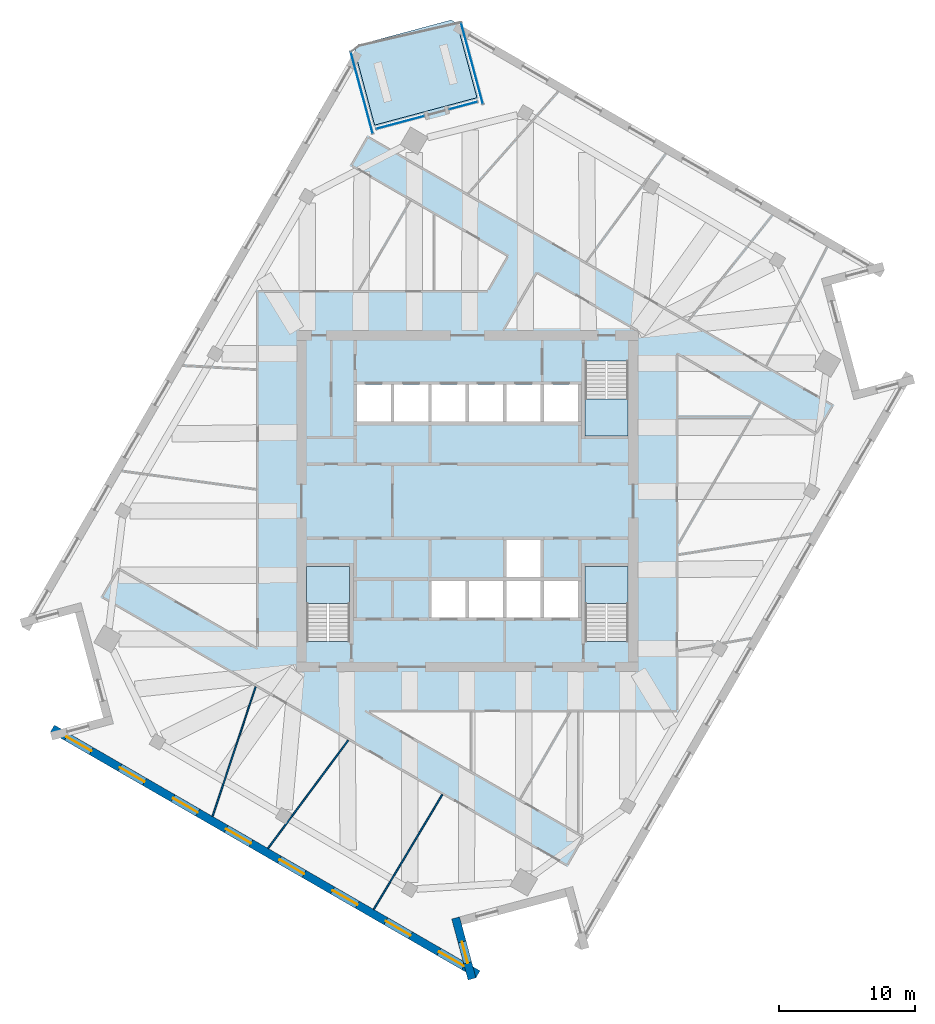
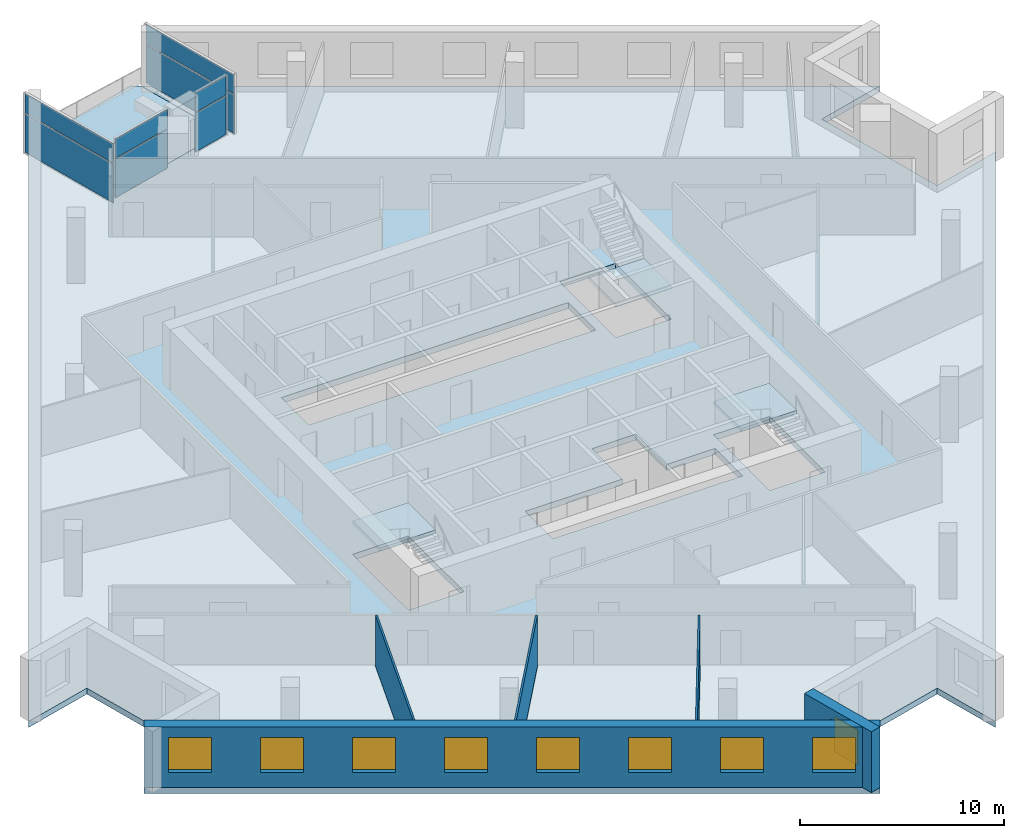
# One storey, part 5 of 13: 9 windows, 8 plates, 5 slabs, 5 walls, 9 openings, 7 elements without a shape of their own.
"""IFC4 building model written with IfcOpenShell, lengths in metres."""

from ifc_helpers import new_model, si_unit, direction, frame, frame_2d, origin, origin_2d, place, context, subcontext, project, spatial, polyline, rectangle, outline, extrude, material, layer, layer_set, type_object, element, fill, aggregate, save


model = new_model("IFC4")

# Units and contexts
model_context = context("Model", 3, precision=1e-05, world=origin(), true_north=direction((0.0, 1.0)))
body_context = subcontext(model_context, "Body", "Model", "MODEL_VIEW")
ifc_project = project(units=[si_unit("LENGTHUNIT", "METRE"), si_unit("AREAUNIT", "SQUARE_METRE"), si_unit("VOLUMEUNIT", "CUBIC_METRE"), si_unit("PLANEANGLEUNIT", "RADIAN"), si_unit("MASSUNIT", "GRAM", prefix="KILO")], contexts=[model_context])

# Site, building, storey
site_placement = place(None, origin())
site = spatial("IfcSite", under=ifc_project, at=site_placement, CompositionType="ELEMENT")
building_placement = place(site_placement, origin())
building = spatial("IfcBuilding", under=site, at=building_placement, Name="Dilmun Exchange Tower", CompositionType="ELEMENT")
storey_placement = place(building_placement, frame((0.0, 0.0, 266.89990234375)))
storey = spatial("IfcBuildingStorey", under=building, at=storey_placement, Name="L63", CompositionType="ELEMENT", Elevation=266.89990234375)

# Stair, slab
ifc_material_1 = material(Name="Concrete C40/50", Category="concrete")
stair_type = type_object("IfcStairType", Name="Exit stair 1500 half-turn", PredefinedType="HALF_TURN_STAIR", material=ifc_material_1)
stair_1_placement = place(storey_placement, origin())
stair_1 = element("IfcStair", 1, at=stair_1_placement, inside=storey, type_object=stair_type, Name="L63 Protected exit stair ST1", PredefinedType="HALF_TURN_STAIR")
ifc_layer_1 = layer(ifc_material_1, 0.199951171875)
ifc_layer_set_1 = layer_set([ifc_layer_1], Name="Concrete C40/50")
slab_type_1 = type_object("IfcSlabType", Name="Exit stair landing 200", PredefinedType="LANDING", material=ifc_layer_set_1)
slab_1_placement = place(storey_placement, frame((0.0, 0.0, 1.800048828125)))
slab_1 = element("IfcSlab", 2, at=slab_1_placement, type_object=slab_type_1, Name="ST1 landing 1", PredefinedType="LANDING", context=body_context, shape_type="SweptSolid", body=[
    extrude(outline(polyline([(8.64990234375, 7.5), (8.64990234375, 4.800048828125), (11.800048828125, 4.800048828125), (11.800048828125, 7.5), (8.64990234375, 7.5)])), origin(), (0.0, 0.0, 1.0), 0.199951171875),
])
aggregate(stair_1, [slab_1])

stair_2_placement = place(storey_placement, origin())
stair_2 = element("IfcStair", 3, at=stair_2_placement, inside=storey, type_object=stair_type, Name="L63 Protected exit stair ST2", PredefinedType="HALF_TURN_STAIR")
slab_2_placement = place(storey_placement, frame((0.0, 0.0, 1.800048828125)))
slab_2 = element("IfcSlab", 4, at=slab_2_placement, type_object=slab_type_1, Name="ST2 landing 1", PredefinedType="LANDING", context=body_context, shape_type="SweptSolid", body=[
    extrude(outline(polyline([(-8.64990234375, -7.5), (-8.64990234375, -4.800048828125), (-11.800048828125, -4.800048828125), (-11.800048828125, -7.5), (-8.64990234375, -7.5)])), origin(), (0.0, 0.0, 1.0), 0.199951171875),
])
aggregate(stair_2, [slab_2])

stair_3_placement = place(storey_placement, origin())
stair_3 = element("IfcStair", 5, at=stair_3_placement, inside=storey, type_object=stair_type, Name="L63 Protected exit stair ST3", PredefinedType="HALF_TURN_STAIR")
slab_3_placement = place(storey_placement, frame((0.0, 0.0, 1.800048828125)))
slab_3 = element("IfcSlab", 6, at=slab_3_placement, type_object=slab_type_1, Name="ST3 landing 1", PredefinedType="LANDING", context=body_context, shape_type="SweptSolid", body=[
    extrude(outline(polyline([(11.800048828125, -7.5), (11.800048828125, -4.800048828125), (8.64990234375, -4.800048828125), (8.64990234375, -7.5), (11.800048828125, -7.5)])), origin(), (0.0, 0.0, 1.0), 0.199951171875),
])
aggregate(stair_3, [slab_3])

# Curtain wall, plates
ifc_material_2 = material(Name="Anodised aluminium and clear glass", Category="aluminium")
curtain_wall_type = type_object("IfcCurtainWallType", Name="Garden corner glazing", PredefinedType="NOTDEFINED", material=ifc_material_2)
curtain_wall_1_placement = place(storey_placement, origin())
curtain_wall_1 = element("IfcCurtainWall", 7, at=curtain_wall_1_placement, inside=storey, type_object=curtain_wall_type, Name="Garden corner glazing run GC1.1", PredefinedType="NOTDEFINED")
ifc_material_3 = material(Name="Clear glass", Category="glass")
ifc_layer_2 = layer(ifc_material_3, 0.028076171875)
ifc_layer_set_2 = layer_set([ifc_layer_2], Name="Clear glass")
plate_type = type_object("IfcPlateType", Name="Garden corner glazing glass panel 28", PredefinedType="CURTAIN_PANEL", material=ifc_layer_set_2)
plate_1_placement = place(storey_placement, frame((0.33642578125, 32.1416015625, 0.06005859375), z_axis=(0.0, 0.0, 1.0), x_axis=(0.258819306883, -0.965925756145, 0.0)))
plate_1 = element("IfcPlate", 8, at=plate_1_placement, type_object=plate_type, Name="GC1.1 panel 1.1", PredefinedType="CURTAIN_PANEL", context=body_context, shape_type="SweptSolid", body=[
    extrude(rectangle(XDim=6.12646484375, YDim=0.028076171875, at=origin_2d()), origin(), (0.0, 0.0, 1.0), 2.31005859375),
])
plate_2_placement = place(storey_placement, frame((0.33642578125, 32.1416015625, 2.43017578125), z_axis=(0.0, 0.0, 1.0), x_axis=(0.258819306883, -0.965925756145, 0.0)))
plate_2 = element("IfcPlate", 9, at=plate_2_placement, type_object=plate_type, Name="GC1.1 panel 1.2", PredefinedType="CURTAIN_PANEL", context=body_context, shape_type="SweptSolid", body=[
    extrude(rectangle(XDim=6.12646484375, YDim=0.028076171875, at=origin_2d()), origin(), (0.0, 0.0, 1.0), 1.14990234375),
])
aggregate(curtain_wall_1, [plate_1, plate_2])

curtain_wall_2_placement = place(storey_placement, origin())
curtain_wall_2 = element("IfcCurtainWall", 10, at=curtain_wall_2_placement, inside=storey, type_object=curtain_wall_type, Name="Garden corner glazing run GC2.1", PredefinedType="NOTDEFINED")
plate_3_placement = place(storey_placement, frame((-0.303955078125, 29.047119140625, 0.06005859375), z_axis=(0.0, 0.0, 1.0), x_axis=(-0.965928116621, -0.258810497317, 0.0)))
plate_3 = element("IfcPlate", 11, at=plate_3_placement, type_object=plate_type, Name="GC2.1 panel 1.1", PredefinedType="CURTAIN_PANEL", context=body_context, shape_type="SweptSolid", body=[
    extrude(rectangle(XDim=2.119140625, YDim=0.028076171875, at=origin_2d()), origin(), (0.0, 0.0, 1.0), 2.31005859375),
])
plate_4_placement = place(storey_placement, frame((-0.303955078125, 29.047119140625, 2.43017578125), z_axis=(0.0, 0.0, 1.0), x_axis=(-0.965928116621, -0.258810497317, 0.0)))
plate_4 = element("IfcPlate", 12, at=plate_4_placement, type_object=plate_type, Name="GC2.1 panel 1.2", PredefinedType="CURTAIN_PANEL", context=body_context, shape_type="SweptSolid", body=[
    extrude(rectangle(XDim=2.119140625, YDim=0.028076171875, at=origin_2d()), origin(), (0.0, 0.0, 1.0), 1.14990234375),
])
aggregate(curtain_wall_2, [plate_3, plate_4])

curtain_wall_3_placement = place(storey_placement, origin())
curtain_wall_3 = element("IfcCurtainWall", 13, at=curtain_wall_3_placement, inside=storey, type_object=curtain_wall_type, Name="Garden corner glazing run GC2.3", PredefinedType="NOTDEFINED")
plate_5_placement = place(storey_placement, frame((-4.929931640625, 27.8076171875, 0.06005859375), z_axis=(0.0, 0.0, 1.0), x_axis=(-0.965927518126, -0.258812731, 0.0)))
plate_5 = element("IfcPlate", 14, at=plate_5_placement, type_object=plate_type, Name="GC2.3 panel 1.1", PredefinedType="CURTAIN_PANEL", context=body_context, shape_type="SweptSolid", body=[
    extrude(rectangle(XDim=3.618896484375, YDim=0.028076171875, at=origin_2d()), origin(), (0.0, 0.0, 1.0), 2.31005859375),
])
plate_6_placement = place(storey_placement, frame((-4.929931640625, 27.8076171875, 2.43017578125), z_axis=(0.0, 0.0, 1.0), x_axis=(-0.965927518126, -0.258812731, 0.0)))
plate_6 = element("IfcPlate", 15, at=plate_6_placement, type_object=plate_type, Name="GC2.3 panel 1.2", PredefinedType="CURTAIN_PANEL", context=body_context, shape_type="SweptSolid", body=[
    extrude(rectangle(XDim=3.618896484375, YDim=0.028076171875, at=origin_2d()), origin(), (0.0, 0.0, 1.0), 1.14990234375),
])
aggregate(curtain_wall_3, [plate_5, plate_6])

curtain_wall_4_placement = place(storey_placement, origin())
curtain_wall_4 = element("IfcCurtainWall", 16, at=curtain_wall_4_placement, inside=storey, type_object=curtain_wall_type, Name="Garden corner glazing run GC3.1", PredefinedType="NOTDEFINED")
plate_7_placement = place(storey_placement, frame((-7.75634765625, 29.97314453125, 0.06005859375), z_axis=(0.0, 0.0, 1.0), x_axis=(-0.258819306883, 0.965925756145, 0.0)))
plate_7 = element("IfcPlate", 17, at=plate_7_placement, type_object=plate_type, Name="GC3.1 panel 1.1", PredefinedType="CURTAIN_PANEL", context=body_context, shape_type="SweptSolid", body=[
    extrude(rectangle(XDim=6.12646484375, YDim=0.028076171875, at=origin_2d()), origin(), (0.0, 0.0, 1.0), 2.31005859375),
])
plate_8_placement = place(storey_placement, frame((-7.75634765625, 29.97314453125, 2.43017578125), z_axis=(0.0, 0.0, 1.0), x_axis=(-0.258819306883, 0.965925756145, 0.0)))
plate_8 = element("IfcPlate", 18, at=plate_8_placement, type_object=plate_type, Name="GC3.1 panel 1.2", PredefinedType="CURTAIN_PANEL", context=body_context, shape_type="SweptSolid", body=[
    extrude(rectangle(XDim=6.12646484375, YDim=0.028076171875, at=origin_2d()), origin(), (0.0, 0.0, 1.0), 1.14990234375),
])
aggregate(curtain_wall_4, [plate_7, plate_8])

# Slabs
ifc_layer_3 = layer(ifc_material_1, 0.360107421875)
ifc_layer_set_3 = layer_set([ifc_layer_3], Name="Concrete C40/50")
slab_type_2 = type_object("IfcSlabType", Name="RC floor slab 360", PredefinedType="FLOOR", material=ifc_layer_set_3)
slab_4_placement = place(storey_placement, frame((0.0, 0.0, -0.35986328125)))
element("IfcSlab", 19, at=slab_4_placement, inside=storey, type_object=slab_type_2, Name="Floor slab", PredefinedType="FLOOR", context=body_context, shape_type="SweptSolid", body=[
    extrude(outline(polyline([(26.727783203125, 15.914794921875), (28.79833984375, 8.187255859375), (32.6962890625, 9.231689453125), (8.353271484375, -32.931884765625), (7.308837890625, -29.03369140625), (-0.418701171875, -31.104248046875), (0.625732421875, -35.002197265625), (-30.625732421875, -16.959228515625), (-26.727783203125, -15.914794921875), (-28.79833984375, -8.187255859375), (-32.6962890625, -9.231689453125), (-8.27490234375, 33.067626953125), (-6.8134765625, 27.613525390625), (0.69970703125, 29.626708984375), (-0.76171875, 35.080810546875), (30.625732421875, 16.959228515625), (26.727783203125, 15.914794921875)]), holes=[polyline([(-8.64990234375, -4.800048828125), (-11.800048828125, -4.800048828125), (-11.800048828125, -10.294921875), (-8.64990234375, -10.294921875), (-8.64990234375, -4.800048828125)]), polyline([(11.800048828125, -4.800048828125), (8.64990234375, -4.800048828125), (8.64990234375, -10.294921875), (11.800048828125, -10.294921875), (11.800048828125, -4.800048828125)]), polyline([(2.875, -5.85009765625), (-2.625, -5.85009765625), (-2.625, -8.550048828125), (8.125, -8.550048828125), (8.125, -5.85009765625), (5.375, -5.85009765625), (5.375, -2.85009765625), (2.875, -2.85009765625), (2.875, -5.85009765625)]), polyline([(8.125, 5.85009765625), (8.125, 8.550048828125), (-8.125, 8.550048828125), (-8.125, 5.85009765625), (8.125, 5.85009765625)]), polyline([(8.64990234375, 10.294921875), (8.64990234375, 4.800048828125), (11.800048828125, 4.800048828125), (11.800048828125, 10.294921875), (8.64990234375, 10.294921875)])]), origin(), (0.0, 0.0, 1.0), 0.35986328125),
])
ifc_layer_4 = layer(ifc_material_1, 0.300048828125)
ifc_layer_set_4 = layer_set([ifc_layer_4], Name="Concrete C40/50")
slab_type_3 = type_object("IfcSlabType", Name="RC garden terrace slab 300", PredefinedType="FLOOR", material=ifc_layer_set_4)
slab_5_placement = place(storey_placement, frame((0.0, 0.0, -0.2998046875)))
element("IfcSlab", 20, at=slab_5_placement, inside=storey, type_object=slab_type_3, Name="Garden terrace slab", PredefinedType="FLOOR", context=body_context, shape_type="SweptSolid", body=[
    extrude(outline(polyline([(-6.8134765625, 27.613525390625), (-8.27490234375, 33.067626953125), (-8.02490234375, 33.50048828125), (-1.194580078125, 35.330810546875), (-0.76171875, 35.080810546875), (0.69970703125, 29.626708984375), (-6.8134765625, 27.613525390625)])), origin(), (0.0, 0.0, 1.0), 0.2998046875),
])

# Walls
ifc_material_4 = material(Name="Partition 100")
ifc_layer_5 = layer(ifc_material_4, 0.10009765625)
ifc_layer_set_5 = layer_set([ifc_layer_5], Name="Partition 100")
wall_type_1 = type_object("IfcWallType", Name="Partition 100", PredefinedType="PARTITIONING", material=ifc_layer_set_5)
wall_1_placement = place(storey_placement, frame((-18.711181640625, -23.142822265625, 0.0), z_axis=(0.0, 0.0, 1.0), x_axis=(0.315197061925, 0.949026244186, 0.0)))
element("IfcWall", 21, at=wall_1_placement, inside=storey, type_object=wall_type_1, Name="Partition", PredefinedType="PARTITIONING", context=body_context, shape_type="SweptSolid", body=[
    extrude(rectangle(XDim=10.021240234375, YDim=0.10009765625, at=frame_2d((5.0107421875, 0.0))), origin(), (0.0, 0.0, 1.0), 3.0400390625),
])
wall_2_placement = place(storey_placement, frame((-14.639892578125, -25.493408203125, 0.0), z_axis=(0.0, 0.0, 1.0), x_axis=(0.596096620962, 0.802912709127, 0.0)))
element("IfcWall", 22, at=wall_2_placement, inside=storey, type_object=wall_type_1, Name="Partition", PredefinedType="PARTITIONING", context=body_context, shape_type="SweptSolid", body=[
    extrude(rectangle(XDim=9.88525390625, YDim=0.10009765625, at=frame_2d((4.942626953125, 0.0))), origin(), (0.0, 0.0, 1.0), 3.0400390625),
])
wall_3_placement = place(storey_placement, frame((-6.87841796875, -29.974609375, 0.0), z_axis=(0.0, 0.0, 1.0), x_axis=(0.512748240754, 0.858539015772, 0.0)))
element("IfcWall", 23, at=wall_3_placement, inside=storey, type_object=wall_type_1, Name="Partition", PredefinedType="PARTITIONING", context=body_context, shape_type="SweptSolid", body=[
    extrude(rectangle(XDim=9.82666015625, YDim=0.10009765625, at=frame_2d((4.913330078125, 0.0))), origin(), (0.0, 0.0, 1.0), 3.0400390625),
])

# Wall, openings, windows
ifc_material_5 = material(Name="Precast concrete C50/60", Category="concrete")
ifc_layer_6 = layer(ifc_material_5, 0.60009765625)
ifc_layer_set_6 = layer_set([ifc_layer_6], Name="Precast concrete C50/60")
wall_type_2 = type_object("IfcWallType", Name="Precast stone-clad wall 600", PredefinedType="STANDARD", material=ifc_layer_set_6)
wall_4_placement = place(storey_placement, frame((-30.475830078125, -16.699462890625, 0.0), z_axis=(0.0, 0.0, 1.0), x_axis=(0.866027969777, -0.499995555543, 0.0)))
wall_4 = element("IfcWall", 24, at=wall_4_placement, inside=storey, type_object=wall_type_2, Name="Facade wall L63-07", PredefinedType="STANDARD", context=body_context, shape_type="SweptSolid", body=[
    extrude(rectangle(XDim=36.086181640625, YDim=0.60009765625, at=frame_2d((18.04296875, 0.0))), origin(), (0.0, 0.0, 1.0), 3.64013671875),
])
opening_1_placement = place(wall_4_placement, frame((1.205322265625, 0.0, 0.89990234375)))
opening_1 = element("IfcOpeningElement", 25, at=opening_1_placement, cuts=wall_4, Name="Opening W210-210", PredefinedType="OPENING", context=body_context, shape_type="SweptSolid", body=[
    extrude(rectangle(XDim=2.10009765625, YDim=2.10009765625, at=frame_2d((1.050048828125, 1.050048828125))), frame((0.0, 0.31005859375, 0.0), z_axis=(0.0, -1.0, 0.0), x_axis=(1.0, 0.0, 0.0)), (0.0, 0.0, 1.0), 0.6201171875),
])
opening_2_placement = place(wall_4_placement, frame((5.71630859375, 0.0, 0.89990234375)))
opening_2 = element("IfcOpeningElement", 26, at=opening_2_placement, cuts=wall_4, Name="Opening W210-210", PredefinedType="OPENING", context=body_context, shape_type="SweptSolid", body=[
    extrude(rectangle(XDim=2.10009765625, YDim=2.10009765625, at=frame_2d((1.050048828125, 1.050048828125))), frame((0.0, 0.31005859375, 0.0), z_axis=(0.0, -1.0, 0.0), x_axis=(1.0, 0.0, 0.0)), (0.0, 0.0, 1.0), 0.6201171875),
])
opening_3_placement = place(wall_4_placement, frame((10.22705078125, 0.0, 0.89990234375)))
opening_3 = element("IfcOpeningElement", 27, at=opening_3_placement, cuts=wall_4, Name="Opening W210-210", PredefinedType="OPENING", context=body_context, shape_type="SweptSolid", body=[
    extrude(rectangle(XDim=2.10009765625, YDim=2.10009765625, at=frame_2d((1.050048828125, 1.050048828125))), frame((0.0, 0.31005859375, 0.0), z_axis=(0.0, -1.0, 0.0), x_axis=(1.0, 0.0, 0.0)), (0.0, 0.0, 1.0), 0.6201171875),
])
opening_4_placement = place(wall_4_placement, frame((14.73779296875, 0.0, 0.89990234375)))
opening_4 = element("IfcOpeningElement", 28, at=opening_4_placement, cuts=wall_4, Name="Opening W210-210", PredefinedType="OPENING", context=body_context, shape_type="SweptSolid", body=[
    extrude(rectangle(XDim=2.10009765625, YDim=2.10009765625, at=frame_2d((1.050048828125, 1.050048828125))), frame((0.0, 0.31005859375, 0.0), z_axis=(0.0, -1.0, 0.0), x_axis=(1.0, 0.0, 0.0)), (0.0, 0.0, 1.0), 0.6201171875),
])
opening_5_placement = place(wall_4_placement, frame((19.24853515625, 0.0, 0.89990234375)))
opening_5 = element("IfcOpeningElement", 29, at=opening_5_placement, cuts=wall_4, Name="Opening W210-210", PredefinedType="OPENING", context=body_context, shape_type="SweptSolid", body=[
    extrude(rectangle(XDim=2.10009765625, YDim=2.10009765625, at=frame_2d((1.050048828125, 1.050048828125))), frame((0.0, 0.31005859375, 0.0), z_axis=(0.0, -1.0, 0.0), x_axis=(1.0, 0.0, 0.0)), (0.0, 0.0, 1.0), 0.6201171875),
])
opening_6_placement = place(wall_4_placement, frame((23.75927734375, 0.0, 0.89990234375)))
opening_6 = element("IfcOpeningElement", 30, at=opening_6_placement, cuts=wall_4, Name="Opening W210-210", PredefinedType="OPENING", context=body_context, shape_type="SweptSolid", body=[
    extrude(rectangle(XDim=2.10009765625, YDim=2.10009765625, at=frame_2d((1.050048828125, 1.050048828125))), frame((0.0, 0.31005859375, 0.0), z_axis=(0.0, -1.0, 0.0), x_axis=(1.0, 0.0, 0.0)), (0.0, 0.0, 1.0), 0.6201171875),
])
opening_7_placement = place(wall_4_placement, frame((28.27001953125, 0.0, 0.89990234375)))
opening_7 = element("IfcOpeningElement", 31, at=opening_7_placement, cuts=wall_4, Name="Opening W210-210", PredefinedType="OPENING", context=body_context, shape_type="SweptSolid", body=[
    extrude(rectangle(XDim=2.10009765625, YDim=2.10009765625, at=frame_2d((1.050048828125, 1.050048828125))), frame((0.0, 0.31005859375, 0.0), z_axis=(0.0, -1.0, 0.0), x_axis=(1.0, 0.0, 0.0)), (0.0, 0.0, 1.0), 0.6201171875),
])
opening_8_placement = place(wall_4_placement, frame((32.781005859375, 0.0, 0.89990234375)))
opening_8 = element("IfcOpeningElement", 32, at=opening_8_placement, cuts=wall_4, Name="Opening W210-210", PredefinedType="OPENING", context=body_context, shape_type="SweptSolid", body=[
    extrude(rectangle(XDim=2.10009765625, YDim=2.10009765625, at=frame_2d((1.050048828125, 1.050048828125))), frame((0.0, 0.31005859375, 0.0), z_axis=(0.0, -1.0, 0.0), x_axis=(1.0, 0.0, 0.0)), (0.0, 0.0, 1.0), 0.6201171875),
])
ifc_material_6 = material(Name="Clear low-emissivity glass in aluminium frame", Category="aluminium")
window_type_1 = type_object("IfcWindowType", Name="Punched window 2100 x 2100", PartitioningType="DOUBLE_PANEL_VERTICAL", PredefinedType="WINDOW", material=ifc_material_6)
window_1_placement = place(opening_1_placement, origin())
window_1 = element("IfcWindow", 33, at=window_1_placement, inside=storey, type_object=window_type_1, Name="Window 8.1", OverallHeight=2.10009765625, OverallWidth=2.10009765625, PartitioningType="SINGLE_PANEL", PredefinedType="WINDOW", context=body_context, shape_type="SweptSolid", body=[
    extrude(rectangle(XDim=2.10009765625, YDim=2.10009765625, at=frame_2d((1.050048828125, 1.050048828125))), frame((0.0, 0.030029296875, 0.0), z_axis=(0.0, -1.0, 0.0), x_axis=(1.0, 0.0, 0.0)), (0.0, 0.0, 1.0), 0.06005859375),
])
fill(opening_1, window_1)
window_2_placement = place(opening_2_placement, origin())
window_2 = element("IfcWindow", 34, at=window_2_placement, inside=storey, type_object=window_type_1, Name="Window 8.2", OverallHeight=2.10009765625, OverallWidth=2.10009765625, PartitioningType="SINGLE_PANEL", PredefinedType="WINDOW", context=body_context, shape_type="SweptSolid", body=[
    extrude(rectangle(XDim=2.10009765625, YDim=2.10009765625, at=frame_2d((1.050048828125, 1.050048828125))), frame((0.0, 0.030029296875, 0.0), z_axis=(0.0, -1.0, 0.0), x_axis=(1.0, 0.0, 0.0)), (0.0, 0.0, 1.0), 0.06005859375),
])
fill(opening_2, window_2)
window_3_placement = place(opening_3_placement, origin())
window_3 = element("IfcWindow", 35, at=window_3_placement, inside=storey, type_object=window_type_1, Name="Window 8.3", OverallHeight=2.10009765625, OverallWidth=2.10009765625, PartitioningType="SINGLE_PANEL", PredefinedType="WINDOW", context=body_context, shape_type="SweptSolid", body=[
    extrude(rectangle(XDim=2.10009765625, YDim=2.10009765625, at=frame_2d((1.050048828125, 1.050048828125))), frame((0.0, 0.030029296875, 0.0), z_axis=(0.0, -1.0, 0.0), x_axis=(1.0, 0.0, 0.0)), (0.0, 0.0, 1.0), 0.06005859375),
])
fill(opening_3, window_3)
window_4_placement = place(opening_4_placement, origin())
window_4 = element("IfcWindow", 36, at=window_4_placement, inside=storey, type_object=window_type_1, Name="Window 8.4", OverallHeight=2.10009765625, OverallWidth=2.10009765625, PartitioningType="SINGLE_PANEL", PredefinedType="WINDOW", context=body_context, shape_type="SweptSolid", body=[
    extrude(rectangle(XDim=2.10009765625, YDim=2.10009765625, at=frame_2d((1.050048828125, 1.050048828125))), frame((0.0, 0.030029296875, 0.0), z_axis=(0.0, -1.0, 0.0), x_axis=(1.0, 0.0, 0.0)), (0.0, 0.0, 1.0), 0.06005859375),
])
fill(opening_4, window_4)
window_5_placement = place(opening_5_placement, origin())
window_5 = element("IfcWindow", 37, at=window_5_placement, inside=storey, type_object=window_type_1, Name="Window 8.5", OverallHeight=2.10009765625, OverallWidth=2.10009765625, PartitioningType="SINGLE_PANEL", PredefinedType="WINDOW", context=body_context, shape_type="SweptSolid", body=[
    extrude(rectangle(XDim=2.10009765625, YDim=2.10009765625, at=frame_2d((1.050048828125, 1.050048828125))), frame((0.0, 0.030029296875, 0.0), z_axis=(0.0, -1.0, 0.0), x_axis=(1.0, 0.0, 0.0)), (0.0, 0.0, 1.0), 0.06005859375),
])
fill(opening_5, window_5)
window_6_placement = place(opening_6_placement, origin())
window_6 = element("IfcWindow", 38, at=window_6_placement, inside=storey, type_object=window_type_1, Name="Window 8.6", OverallHeight=2.10009765625, OverallWidth=2.10009765625, PartitioningType="SINGLE_PANEL", PredefinedType="WINDOW", context=body_context, shape_type="SweptSolid", body=[
    extrude(rectangle(XDim=2.10009765625, YDim=2.10009765625, at=frame_2d((1.050048828125, 1.050048828125))), frame((0.0, 0.030029296875, 0.0), z_axis=(0.0, -1.0, 0.0), x_axis=(1.0, 0.0, 0.0)), (0.0, 0.0, 1.0), 0.06005859375),
])
fill(opening_6, window_6)
window_7_placement = place(opening_7_placement, origin())
window_7 = element("IfcWindow", 39, at=window_7_placement, inside=storey, type_object=window_type_1, Name="Window 8.7", OverallHeight=2.10009765625, OverallWidth=2.10009765625, PartitioningType="SINGLE_PANEL", PredefinedType="WINDOW", context=body_context, shape_type="SweptSolid", body=[
    extrude(rectangle(XDim=2.10009765625, YDim=2.10009765625, at=frame_2d((1.050048828125, 1.050048828125))), frame((0.0, 0.030029296875, 0.0), z_axis=(0.0, -1.0, 0.0), x_axis=(1.0, 0.0, 0.0)), (0.0, 0.0, 1.0), 0.06005859375),
])
fill(opening_7, window_7)
window_8_placement = place(opening_8_placement, origin())
window_8 = element("IfcWindow", 40, at=window_8_placement, inside=storey, type_object=window_type_1, Name="Window 8.8", OverallHeight=2.10009765625, OverallWidth=2.10009765625, PartitioningType="SINGLE_PANEL", PredefinedType="WINDOW", context=body_context, shape_type="SweptSolid", body=[
    extrude(rectangle(XDim=2.10009765625, YDim=2.10009765625, at=frame_2d((1.050048828125, 1.050048828125))), frame((0.0, 0.030029296875, 0.0), z_axis=(0.0, -1.0, 0.0), x_axis=(1.0, 0.0, 0.0)), (0.0, 0.0, 1.0), 0.06005859375),
])
fill(opening_8, window_8)

# Wall, opening, window
wall_5_placement = place(storey_placement, frame((0.3359375, -35.080078125, 0.0), z_axis=(0.0, 0.0, 1.0), x_axis=(-0.258796631638, 0.96593183168, 0.0)))
wall_5 = element("IfcWall", 41, at=wall_5_placement, inside=storey, type_object=wall_type_2, Name="Facade wall L63-08", PredefinedType="STANDARD", context=body_context, shape_type="SweptSolid", body=[
    extrude(rectangle(XDim=4.6357421875, YDim=0.60009765625, at=frame_2d((2.31787109375, 0.0))), origin(), (0.0, 0.0, 1.0), 3.64013671875),
])
opening_9_placement = place(wall_5_placement, frame((1.2177734375, 0.0, 0.89990234375)))
opening_9 = element("IfcOpeningElement", 42, at=opening_9_placement, cuts=wall_5, Name="Opening W160-210", PredefinedType="OPENING", context=body_context, shape_type="SweptSolid", body=[
    extrude(rectangle(XDim=1.60009765625, YDim=2.10009765625, at=frame_2d((0.800048828125, 1.050048828125))), frame((0.0, 0.31005859375, 0.0), z_axis=(0.0, -1.0, 0.0), x_axis=(1.0, 0.0, 0.0)), (0.0, 0.0, 1.0), 0.6201171875),
])
window_type_2 = type_object("IfcWindowType", Name="Punched window 1600 x 2100", PartitioningType="DOUBLE_PANEL_VERTICAL", PredefinedType="WINDOW", material=ifc_material_6)
window_9_placement = place(opening_9_placement, origin())
window_9 = element("IfcWindow", 43, at=window_9_placement, inside=storey, type_object=window_type_2, Name="Window 9.1", OverallHeight=2.10009765625, OverallWidth=1.60009765625, PartitioningType="SINGLE_PANEL", PredefinedType="WINDOW", context=body_context, shape_type="SweptSolid", body=[
    extrude(rectangle(XDim=1.60009765625, YDim=2.10009765625, at=frame_2d((0.800048828125, 1.050048828125))), frame((0.0, 0.030029296875, 0.0), z_axis=(0.0, -1.0, 0.0), x_axis=(1.0, 0.0, 0.0)), (0.0, 0.0, 1.0), 0.06005859375),
])
fill(opening_9, window_9)

save(model, "model.ifc")
